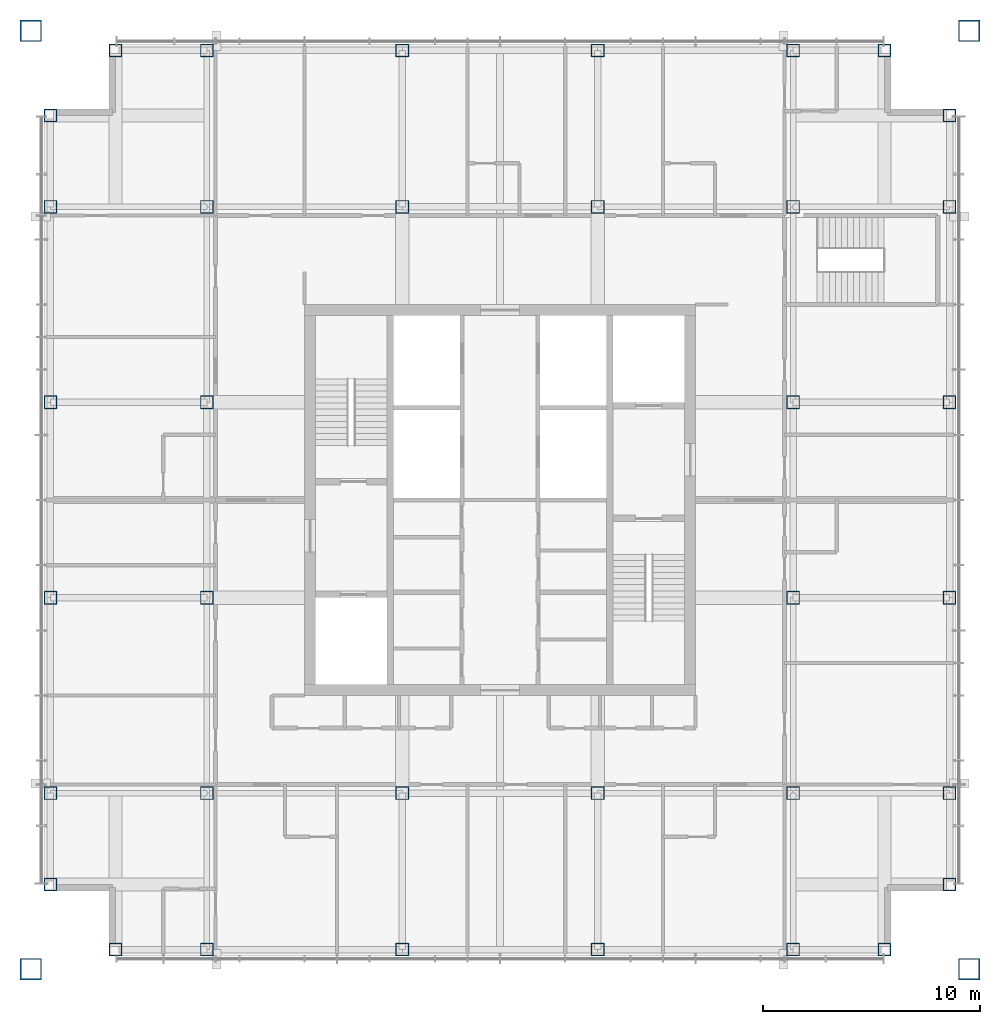
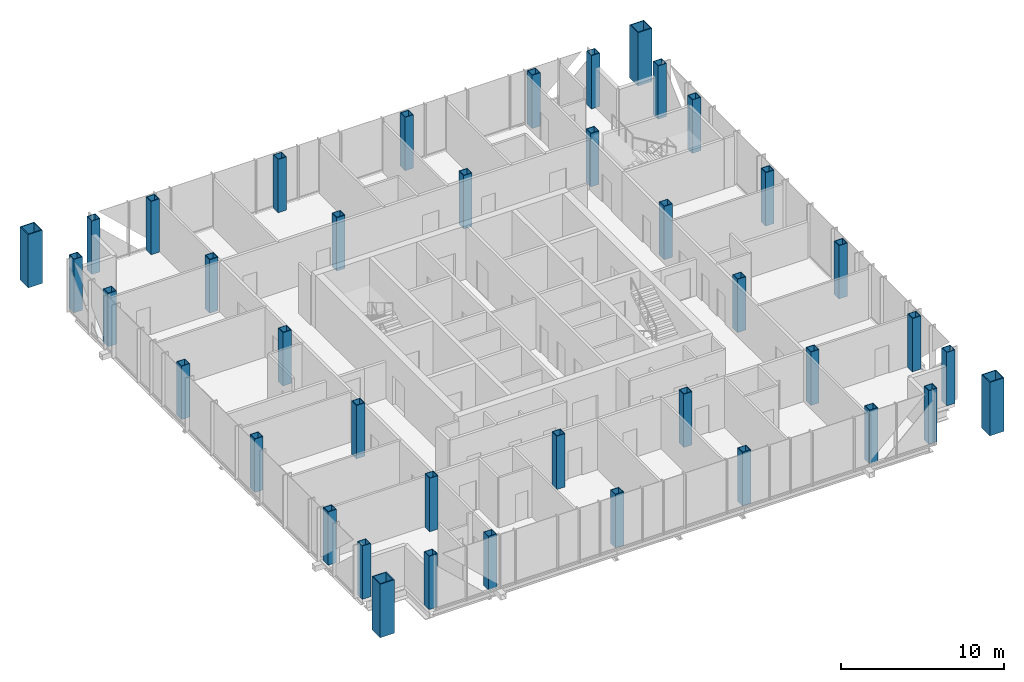
# One storey, part 1 of 11: 40 columns.
"""IFC4 building model written with IfcOpenShell, lengths in metres."""

from ifc_helpers import new_model, si_unit, direction, frame, origin, origin_2d, place, context, subcontext, project, spatial, hollow_rectangle, extrude, material, material_profile, profile_set, type_object, element, save


model = new_model("IFC4")

# Units and contexts
model_context = context("Model", 3, precision=1e-05, world=origin(), true_north=direction((0.0, 1.0)))
body_context = subcontext(model_context, "Body", "Model", "MODEL_VIEW")
ifc_project = project(units=[si_unit("LENGTHUNIT", "METRE"), si_unit("AREAUNIT", "SQUARE_METRE"), si_unit("VOLUMEUNIT", "CUBIC_METRE"), si_unit("PLANEANGLEUNIT", "RADIAN"), si_unit("MASSUNIT", "GRAM", prefix="KILO")], contexts=[model_context])

# Site, building, storey
site_placement = place(None, origin())
site = spatial("IfcSite", under=ifc_project, at=site_placement, CompositionType="ELEMENT")
building_placement = place(site_placement, origin())
building = spatial("IfcBuilding", under=site, at=building_placement, Name="Malebo Sky Hospital", CompositionType="ELEMENT")
storey_placement = place(building_placement, frame((0.0, 0.0, 282.0)))
storey = spatial("IfcBuildingStorey", under=building, at=storey_placement, Name="L68", CompositionType="ELEMENT", Elevation=282.0)

# Columns
ifc_material = material(Name="Steel S460", Category="steel")
ifc_material_profile_1 = material_profile(ifc_material, hollow_rectangle(XDim=0.60009765625, YDim=0.60009765625, WallThickness=0.0400390625, at=origin_2d()), Name="BOX 600x600x40")
ifc_profile_set_1 = profile_set([ifc_material_profile_1], Name="Steel S460")
column_type_1 = type_object("IfcColumnType", Name="INNER COLUMN BOX 600x600x40", PredefinedType="COLUMN", material=ifc_profile_set_1)
for number, where, z_axis, x_axis, name in (
    (1, (46.5, 48.5, 0.0), (0.0, 0.0, 1.0), (1.0, 0.0, 0.0), "Column IC4 L68"),
    (2, (73.5, 48.5, 0.0), (0.0, 0.0, 1.0), (1.0, 0.0, 0.0), "Column IC4 L68"),
    (3, (73.5, 75.5, 0.0), (0.0, 0.0, 1.0), (1.0, 0.0, 0.0), "Column IC4 L68"),
    (4, (46.5, 75.5, 0.0), (0.0, 0.0, 1.0), (1.0, 0.0, 0.0), "Column IC4 L68"),
    (5, (55.5, 48.5, 0.0), (0.0, 0.0, 1.0), (1.0, 0.0, 0.0), "Column IC4 L68"),
    (6, (64.5, 48.5, 0.0), (0.0, 0.0, 1.0), (1.0, 0.0, 0.0), "Column IC4 L68"),
    (7, (55.5, 75.5, 0.0), (0.0, 0.0, 1.0), (1.0, 0.0, 0.0), "Column IC4 L68"),
    (8, (64.5, 75.5, 0.0), (0.0, 0.0, 1.0), (1.0, 0.0, 0.0), "Column IC4 L68"),
    (9, (46.5, 57.5, 0.0), (0.0, 0.0, 1.0), (1.0, 0.0, 0.0), "Column IC4 L68"),
    (10, (46.5, 66.5, 0.0), (0.0, 0.0, 1.0), (1.0, 0.0, 0.0), "Column IC4 L68"),
    (11, (73.5, 57.5, 0.0), (0.0, 0.0, 1.0), (1.0, 0.0, 0.0), "Column IC4 L68"),
    (12, (73.5, 66.5, 0.0), (0.0, 0.0, 1.0), (1.0, 0.0, 0.0), "Column IC4 L68"),
):
    element("IfcColumn", number, at=place(storey_placement, frame(where, z_axis=z_axis, x_axis=x_axis)), inside=storey, type_object=column_type_1, Name=name, PredefinedType="COLUMN", context=body_context, shape_type="SweptSolid", body=[
        extrude(hollow_rectangle(XDim=0.60009765625, YDim=0.60009765625, WallThickness=0.0400390625, at=origin_2d()), origin(), (0.0, 0.0, 1.0), 4.0),
    ])
ifc_material_profile_2 = material_profile(ifc_material, hollow_rectangle(XDim=1.0, YDim=1.0, WallThickness=0.06005859375, at=origin_2d()), Name="BOX 1000x1000x60")
ifc_profile_set_2 = profile_set([ifc_material_profile_2], Name="Steel S460")
column_type_2 = type_object("IfcColumnType", Name="MEGA COLUMN BOX 1000x1000x60", PredefinedType="COLUMN", material=ifc_profile_set_2)
for number, where, z_axis, x_axis, name in (
    (13, (38.39990234375, 40.39990234375, 0.0), (0.0, 0.0, 1.0), (1.0, 0.0, 0.0), "Mega column SW L68"),
    (14, (81.60009765625, 40.39990234375, 0.0), (0.0, 0.0, 1.0), (1.0, 0.0, 0.0), "Mega column SE L68"),
    (15, (81.60009765625, 83.60009765625, 0.0), (0.0, 0.0, 1.0), (1.0, 0.0, 0.0), "Mega column NE L68"),
    (16, (38.39990234375, 83.60009765625, 0.0), (0.0, 0.0, 1.0), (1.0, 0.0, 0.0), "Mega column NW L68"),
):
    element("IfcColumn", number, at=place(storey_placement, frame(where, z_axis=z_axis, x_axis=x_axis)), inside=storey, type_object=column_type_2, Name=name, PredefinedType="COLUMN", context=body_context, shape_type="SweptSolid", body=[
        extrude(hollow_rectangle(XDim=1.0, YDim=1.0, WallThickness=0.06005859375, at=origin_2d()), origin(), (0.0, 0.0, 1.0), 4.0),
    ])
ifc_material_profile_3 = material_profile(ifc_material, hollow_rectangle(XDim=0.60009765625, YDim=0.60009765625, WallThickness=0.0400390625, at=origin_2d()), Name="BOX 600x600x40")
ifc_profile_set_3 = profile_set([ifc_material_profile_3], Name="Steel S460")
column_type_3 = type_object("IfcColumnType", Name="PERIMETER COLUMN BOX 600x600x40", PredefinedType="COLUMN", material=ifc_profile_set_3)
for number, where, z_axis, x_axis, name in (
    (17, (42.300048828125, 41.300048828125, 0.0), (0.0, 0.0, 1.0), (1.0, 0.0, 0.0), "Column PC4 L68"),
    (18, (42.300048828125, 82.699951171875, 0.0), (0.0, 0.0, 1.0), (1.0, 0.0, 0.0), "Column PC4 L68"),
    (19, (39.300048828125, 44.300048828125, 0.0), (0.0, 0.0, 1.0), (1.0, 0.0, 0.0), "Column PC4 L68"),
    (20, (80.699951171875, 44.300048828125, 0.0), (0.0, 0.0, 1.0), (1.0, 0.0, 0.0), "Column PC4 L68"),
    (21, (46.5, 41.300048828125, 0.0), (0.0, 0.0, 1.0), (1.0, 0.0, 0.0), "Column PC4 L68"),
    (22, (46.5, 82.699951171875, 0.0), (0.0, 0.0, 1.0), (1.0, 0.0, 0.0), "Column PC4 L68"),
    (23, (39.300048828125, 48.5, 0.0), (0.0, 0.0, 1.0), (1.0, 0.0, 0.0), "Column PC4 L68"),
    (24, (80.699951171875, 48.5, 0.0), (0.0, 0.0, 1.0), (1.0, 0.0, 0.0), "Column PC4 L68"),
    (25, (55.5, 41.300048828125, 0.0), (0.0, 0.0, 1.0), (1.0, 0.0, 0.0), "Column PC4 L68"),
    (26, (55.5, 82.699951171875, 0.0), (0.0, 0.0, 1.0), (1.0, 0.0, 0.0), "Column PC4 L68"),
    (27, (39.300048828125, 57.5, 0.0), (0.0, 0.0, 1.0), (1.0, 0.0, 0.0), "Column PC4 L68"),
    (28, (80.699951171875, 57.5, 0.0), (0.0, 0.0, 1.0), (1.0, 0.0, 0.0), "Column PC4 L68"),
    (29, (64.5, 41.300048828125, 0.0), (0.0, 0.0, 1.0), (1.0, 0.0, 0.0), "Column PC4 L68"),
    (30, (64.5, 82.699951171875, 0.0), (0.0, 0.0, 1.0), (1.0, 0.0, 0.0), "Column PC4 L68"),
    (31, (39.300048828125, 66.5, 0.0), (0.0, 0.0, 1.0), (1.0, 0.0, 0.0), "Column PC4 L68"),
    (32, (80.699951171875, 66.5, 0.0), (0.0, 0.0, 1.0), (1.0, 0.0, 0.0), "Column PC4 L68"),
    (33, (73.5, 41.300048828125, 0.0), (0.0, 0.0, 1.0), (1.0, 0.0, 0.0), "Column PC4 L68"),
    (34, (73.5, 82.699951171875, 0.0), (0.0, 0.0, 1.0), (1.0, 0.0, 0.0), "Column PC4 L68"),
    (35, (39.300048828125, 75.5, 0.0), (0.0, 0.0, 1.0), (1.0, 0.0, 0.0), "Column PC4 L68"),
    (36, (80.699951171875, 75.5, 0.0), (0.0, 0.0, 1.0), (1.0, 0.0, 0.0), "Column PC4 L68"),
    (37, (77.699951171875, 41.300048828125, 0.0), (0.0, 0.0, 1.0), (1.0, 0.0, 0.0), "Column PC4 L68"),
    (38, (77.699951171875, 82.699951171875, 0.0), (0.0, 0.0, 1.0), (1.0, 0.0, 0.0), "Column PC4 L68"),
    (39, (39.300048828125, 79.699951171875, 0.0), (0.0, 0.0, 1.0), (1.0, 0.0, 0.0), "Column PC4 L68"),
    (40, (80.699951171875, 79.699951171875, 0.0), (0.0, 0.0, 1.0), (1.0, 0.0, 0.0), "Column PC4 L68"),
):
    element("IfcColumn", number, at=place(storey_placement, frame(where, z_axis=z_axis, x_axis=x_axis)), inside=storey, type_object=column_type_3, Name=name, PredefinedType="COLUMN", context=body_context, shape_type="SweptSolid", body=[
        extrude(hollow_rectangle(XDim=0.60009765625, YDim=0.60009765625, WallThickness=0.0400390625, at=origin_2d()), origin(), (0.0, 0.0, 1.0), 4.0),
    ])

save(model, "model.ifc")
